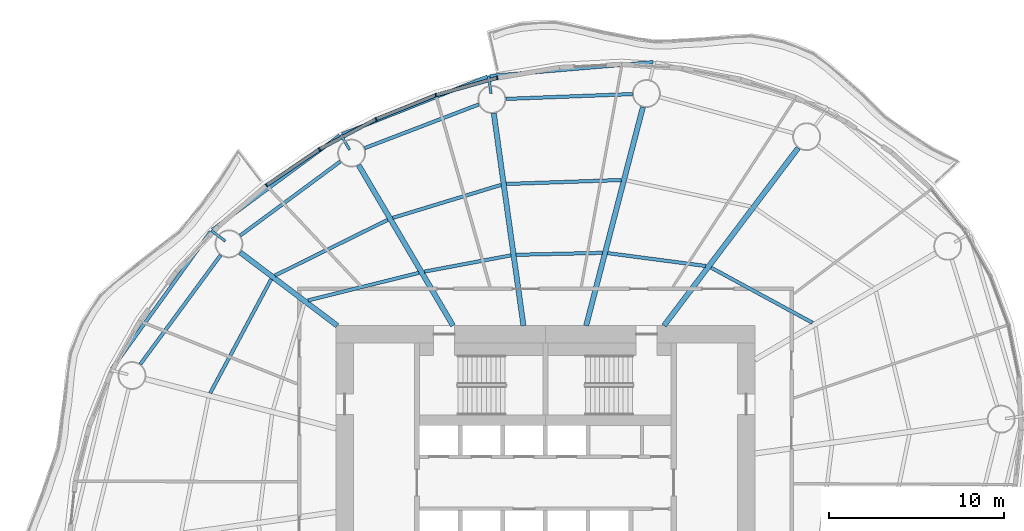
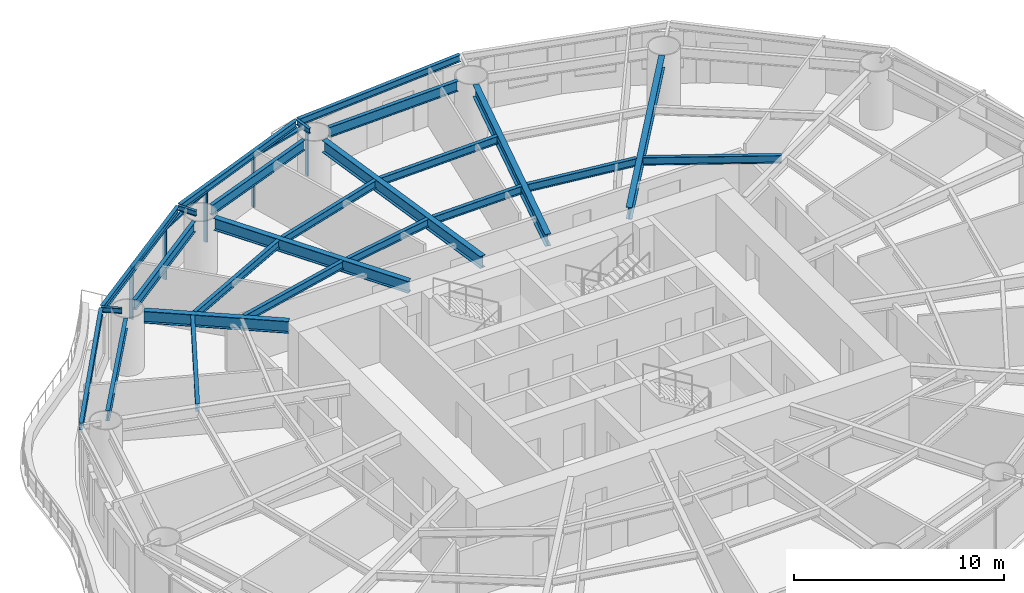
# One storey, part 5 of 14: 25 beams, 9 members, 4 elements without a shape of their own.
"""IFC4 building model written with IfcOpenShell, lengths in metres."""

from ifc_helpers import new_model, si_unit, direction, frame, origin, origin_2d, place, context, subcontext, project, spatial, rectangle, i_section, extrude, material, material_profile, profile_set, type_object, element, aggregate, save


model = new_model("IFC4")

# Units and contexts
model_context = context("Model", 3, precision=1e-05, world=origin(), true_north=direction((0.0, 1.0)))
body_context = subcontext(model_context, "Body", "Model", "MODEL_VIEW")
ifc_project = project(units=[si_unit("LENGTHUNIT", "METRE"), si_unit("AREAUNIT", "SQUARE_METRE"), si_unit("VOLUMEUNIT", "CUBIC_METRE"), si_unit("PLANEANGLEUNIT", "RADIAN"), si_unit("MASSUNIT", "GRAM", prefix="KILO")], contexts=[model_context])

# Site, building, storey
site_placement = place(None, origin())
site = spatial("IfcSite", under=ifc_project, at=site_placement, CompositionType="ELEMENT")
building_placement = place(site_placement, origin())
building = spatial("IfcBuilding", under=site, at=building_placement, Name="Vermilion Reach Broadcast Tower", CompositionType="ELEMENT")
storey_placement = place(building_placement, frame((0.0, 0.0, 131.800048828125)))
storey = spatial("IfcBuildingStorey", under=building, at=storey_placement, Name="L31", CompositionType="ELEMENT", Elevation=131.800048828125)

# Beams
ifc_material_1 = material(Name="Steel S355J2", Category="steel")
ifc_material_profile_1 = material_profile(ifc_material_1, i_section(OverallWidth=0.199951171875, OverallDepth=0.39990234375, WebThickness=0.008056640625, FlangeThickness=0.012939453125, at=origin_2d()), Name="S355J2 HN 400x200x8x13")
ifc_profile_set_1 = profile_set([ifc_material_profile_1], Name="Steel S355J2")
beam_type_1 = type_object("IfcBeamType", Name="EB2 HN 400x200x8x13", PredefinedType="BEAM", material=ifc_profile_set_1)
beam_1_placement = place(storey_placement, frame((0.175048828125, 24.090576171875, 3.199951171875), z_axis=(-0.996416313659, -0.084584454097, 0.0), x_axis=(0.084584454097, -0.996416313659, 0.0)))
element("IfcBeam", 1, at=beam_1_placement, inside=storey, type_object=beam_type_1, Name="Edge beam EB2-03", PredefinedType="BEAM", context=body_context, shape_type="SweptSolid", body=[
    extrude(i_section(OverallWidth=0.199951171875, OverallDepth=0.39990234375, WebThickness=0.008056640625, FlangeThickness=0.012939453125, at=origin_2d()), origin(), (0.0, 0.0, 1.0), 9.386474609375),
])
beam_2_placement = place(storey_placement, frame((-9.32421875, 23.26171875, 3.199951171875), z_axis=(-0.929570815112, -0.368643594401, 0.0), x_axis=(0.368643594401, -0.929570815112, 0.0)))
element("IfcBeam", 2, at=beam_2_placement, inside=storey, type_object=beam_type_1, Name="Edge beam EB2-04", PredefinedType="BEAM", context=body_context, shape_type="SweptSolid", body=[
    extrude(i_section(OverallWidth=0.199951171875, OverallDepth=0.39990234375, WebThickness=0.008056640625, FlangeThickness=0.012939453125, at=origin_2d()), origin(), (0.0, 0.0, 1.0), 8.953857421875),
])
beam_3_placement = place(storey_placement, frame((-17.778564453125, 19.88818359375, 3.199951171875), z_axis=(-0.803813589862, -0.594881259373, 0.0), x_axis=(0.594881259373, -0.803813589862, 0.0)))
element("IfcBeam", 3, at=beam_3_placement, inside=storey, type_object=beam_type_1, Name="Edge beam EB2-05", PredefinedType="BEAM", context=body_context, shape_type="SweptSolid", body=[
    extrude(i_section(OverallWidth=0.199951171875, OverallDepth=0.39990234375, WebThickness=0.008056640625, FlangeThickness=0.012939453125, at=origin_2d()), origin(), (0.0, 0.0, 1.0), 9.072265625),
])
beam_4_placement = place(storey_placement, frame((-25.177734375, 14.3837890625, 3.199951171875), z_axis=(-0.583777873634, -0.811913415492, 0.0), x_axis=(0.811913415492, -0.583777873634, 0.0)))
element("IfcBeam", 4, at=beam_4_placement, inside=storey, type_object=beam_type_1, Name="Edge beam EB2-06", PredefinedType="BEAM", context=body_context, shape_type="SweptSolid", body=[
    extrude(i_section(OverallWidth=0.199951171875, OverallDepth=0.39990234375, WebThickness=0.008056640625, FlangeThickness=0.012939453125, at=origin_2d()), origin(), (0.0, 0.0, 1.0), 9.682861328125),
])
ifc_material_2 = material(Name="Steel S355J2", Category="steel")
ifc_material_profile_2 = material_profile(ifc_material_2, i_section(OverallWidth=0.300048828125, OverallDepth=0.699951171875, WebThickness=0.012939453125, FlangeThickness=0.02392578125, at=origin_2d()), Name="S355J2 HN 700x300x13x24")
ifc_profile_set_2 = profile_set([ifc_material_profile_2], Name="Steel S355J2")
beam_type_2 = type_object("IfcBeamType", Name="G2 HN 700x300x13x24", PredefinedType="BEAM", material=ifc_profile_set_2)
beam_5_placement = place(storey_placement, frame((0.794189453125, 9.0, 3.050048828125), z_axis=(0.602519842365, 0.798103902733, 0.0), x_axis=(-0.798103902733, 0.602519842365, 0.0)))
element("IfcBeam", 5, at=beam_5_placement, inside=storey, type_object=beam_type_2, Name="Girder G2-02", PredefinedType="BEAM", context=body_context, shape_type="SweptSolid", body=[
    extrude(i_section(OverallWidth=0.300048828125, OverallDepth=0.699951171875, WebThickness=0.012939453125, FlangeThickness=0.02392578125, at=origin_2d()), origin(), (0.0, 0.0, 1.0), 12.758544921875),
])
beam_6_placement = place(storey_placement, frame((-3.6640625, 9.0, 3.050048828125), z_axis=(0.25121695316, 0.967930804575, 0.0), x_axis=(-0.967930804575, 0.25121695316, 0.0)))
element("IfcBeam", 6, at=beam_6_placement, inside=storey, type_object=beam_type_2, Name="Girder G2-03", PredefinedType="BEAM", context=body_context, shape_type="SweptSolid", body=[
    extrude(i_section(OverallWidth=0.300048828125, OverallDepth=0.699951171875, WebThickness=0.012939453125, FlangeThickness=0.02392578125, at=origin_2d()), origin(), (0.0, 0.0, 1.0), 12.93505859375),
])
beam_7_placement = place(storey_placement, frame((-7.2568359375, 9.0, 3.050048828125), z_axis=(-0.138317561234, 0.990387930184, 0.0), x_axis=(-0.990387930184, -0.138317561234, 0.0)))
element("IfcBeam", 7, at=beam_7_placement, inside=storey, type_object=beam_type_2, Name="Girder G2-04", PredefinedType="BEAM", context=body_context, shape_type="SweptSolid", body=[
    extrude(i_section(OverallWidth=0.300048828125, OverallDepth=0.699951171875, WebThickness=0.012939453125, FlangeThickness=0.02392578125, at=origin_2d()), origin(), (0.0, 0.0, 1.0), 12.281494140625),
])
beam_8_placement = place(storey_placement, frame((-11.290771484375, 9.0, 3.050048828125), z_axis=(-0.506783943634, 0.862073102744, 0.0), x_axis=(-0.862073102744, -0.506783943634, 0.0)))
element("IfcBeam", 8, at=beam_8_placement, inside=storey, type_object=beam_type_2, Name="Girder G2-05", PredefinedType="BEAM", context=body_context, shape_type="SweptSolid", body=[
    extrude(i_section(OverallWidth=0.300048828125, OverallDepth=0.699951171875, WebThickness=0.012939453125, FlangeThickness=0.02392578125, at=origin_2d()), origin(), (0.0, 0.0, 1.0), 10.661865234375),
])
beam_9_placement = place(storey_placement, frame((-17.921630859375, 9.0, 3.050048828125), z_axis=(-0.798113534072, 0.602507084382, 0.0), x_axis=(-0.602507084382, -0.798113534072, 0.0)))
element("IfcBeam", 9, at=beam_9_placement, inside=storey, type_object=beam_type_2, Name="Girder G2-06", PredefinedType="BEAM", context=body_context, shape_type="SweptSolid", body=[
    extrude(i_section(OverallWidth=0.300048828125, OverallDepth=0.699951171875, WebThickness=0.012939453125, FlangeThickness=0.02392578125, at=origin_2d()), origin(), (0.0, 0.0, 1.0), 6.971923828125),
])
ifc_material_3 = material(Name="Steel S355J2", Category="steel")
ifc_material_profile_3 = material_profile(ifc_material_3, i_section(OverallWidth=0.14990234375, OverallDepth=0.300048828125, WebThickness=0.006591796875, FlangeThickness=0.009033203125, at=origin_2d()), Name="S355J2 HN 300x150x6.5x9")
ifc_profile_set_3 = profile_set([ifc_material_profile_3], Name="Steel S355J2")
beam_type_3 = type_object("IfcBeamType", Name="GS2 HN 300x150x6.5x9", PredefinedType="BEAM", material=ifc_profile_set_3)
for number, where, z_axis, x_axis, name in (
    (10, (-9.1142578125, 22.2998046875, 3.25), (-0.13817375644, 0.990408003315, 0.0), (-0.990408003315, -0.13817375644, 0.0), "Cantilever stub GS2-04"),
    (11, (-17.211181640625, 19.071044921875, 3.25), (-0.506828068037, 0.862047161964, 0.0), (-0.862047161964, -0.506828068037, 0.0), "Cantilever stub GS2-05"),
    (12, (-24.3359375, 13.842041015625, 3.25), (-0.798091683473, 0.602536027779, 0.0), (-0.602536027779, -0.798091683473, 0.0), "Cantilever stub GS2-06"),
):
    element("IfcBeam", number, at=place(storey_placement, frame(where, z_axis=z_axis, x_axis=x_axis)), inside=storey, type_object=beam_type_3, Name=name, PredefinedType="BEAM", context=body_context, shape_type="SweptSolid", body=[
        extrude(i_section(OverallWidth=0.14990234375, OverallDepth=0.300048828125, WebThickness=0.006591796875, FlangeThickness=0.009033203125, at=origin_2d()), origin(), (0.0, 0.0, 1.0), 1.0),
    ])
ifc_material_4 = material(Name="Steel S355J2", Category="steel")
ifc_material_profile_4 = material_profile(ifc_material_4, i_section(OverallWidth=0.199951171875, OverallDepth=0.60009765625, WebThickness=0.010986328125, FlangeThickness=0.01708984375, at=origin_2d()), Name="S355J2 HN 600x200x11x17")
ifc_profile_set_4 = profile_set([ifc_material_profile_4], Name="Steel S355J2")
beam_type_4 = type_object("IfcBeamType", Name="RB2 HN 600x200x11x17", PredefinedType="BEAM", material=ifc_profile_set_4)
beam_10_placement = place(storey_placement, frame((-1.012939453125, 22.263916015625, 3.099853515625), z_axis=(-0.999268558327, -0.038240663418, 0.0), x_axis=(0.038240663418, -0.999268558327, 0.0)))
element("IfcBeam", 13, at=beam_10_placement, inside=storey, type_object=beam_type_4, Name="Ring beam RB2-03", PredefinedType="BEAM", context=body_context, shape_type="SweptSolid", body=[
    extrude(i_section(OverallWidth=0.199951171875, OverallDepth=0.60009765625, WebThickness=0.010986328125, FlangeThickness=0.01708984375, at=origin_2d()), origin(), (0.0, 0.0, 1.0), 7.259033203125),
])
beam_11_placement = place(storey_placement, frame((-9.813232421875, 21.669677734375, 3.099853515625), z_axis=(-0.933939237212, -0.357431813353, 0.0), x_axis=(0.357431813353, -0.933939237212, 0.0)))
element("IfcBeam", 14, at=beam_11_placement, inside=storey, type_object=beam_type_4, Name="Ring beam RB2-04", PredefinedType="BEAM", context=body_context, shape_type="SweptSolid", body=[
    extrude(i_section(OverallWidth=0.199951171875, OverallDepth=0.60009765625, WebThickness=0.010986328125, FlangeThickness=0.01708984375, at=origin_2d()), origin(), (0.0, 0.0, 1.0), 7.001953125),
])
beam_12_placement = place(storey_placement, frame((-17.74267578125, 18.4052734375, 3.099853515625), z_axis=(-0.803832742218, -0.594855379515, 0.0), x_axis=(0.594855379515, -0.803832742218, 0.0)))
element("IfcBeam", 15, at=beam_12_placement, inside=storey, type_object=beam_type_4, Name="Ring beam RB2-05", PredefinedType="BEAM", context=body_context, shape_type="SweptSolid", body=[
    extrude(i_section(OverallWidth=0.199951171875, OverallDepth=0.60009765625, WebThickness=0.010986328125, FlangeThickness=0.01708984375, at=origin_2d()), origin(), (0.0, 0.0, 1.0), 7.13916015625),
])
beam_13_placement = place(storey_placement, frame((-24.59912109375, 13.03857421875, 3.099853515625), z_axis=(-0.593250534798, -0.80501788984, 0.0), x_axis=(0.80501788984, -0.593250534798, 0.0)))
element("IfcBeam", 16, at=beam_13_placement, inside=storey, type_object=beam_type_4, Name="Ring beam RB2-06", PredefinedType="BEAM", context=body_context, shape_type="SweptSolid", body=[
    extrude(i_section(OverallWidth=0.199951171875, OverallDepth=0.60009765625, WebThickness=0.010986328125, FlangeThickness=0.01708984375, at=origin_2d()), origin(), (0.0, 0.0, 1.0), 7.76220703125),
])
ifc_material_5 = material(Name="Steel S355J2", Category="steel")
ifc_material_profile_5 = material_profile(ifc_material_5, i_section(OverallWidth=0.199951171875, OverallDepth=0.449951171875, WebThickness=0.009033203125, FlangeThickness=0.013916015625, at=origin_2d()), Name="S355J2 HN 450x200x9x14")
ifc_profile_set_5 = profile_set([ifc_material_profile_5], Name="Steel S355J2")
beam_type_5 = type_object("IfcBeamType", Name="SB2 HN 450x200x9x14", PredefinedType="BEAM", material=ifc_profile_set_5)
beam_14_placement = place(storey_placement, frame((9.29736328125, 9.1669921875, 3.175048828125), z_axis=(-0.878713106774, 0.477350265512, 0.0), x_axis=(-0.477350265512, -0.878713106774, 0.0)))
element("IfcBeam", 17, at=beam_14_placement, inside=storey, type_object=beam_type_5, Name="Secondary beam SB2-01-1", PredefinedType="BEAM", context=body_context, shape_type="SweptSolid", body=[
    extrude(i_section(OverallWidth=0.199951171875, OverallDepth=0.449951171875, WebThickness=0.009033203125, FlangeThickness=0.013916015625, at=origin_2d()), origin(), (0.0, 0.0, 1.0), 6.60888671875),
])
beam_15_placement = place(storey_placement, frame((3.185546875, 12.416748046875, 3.175048828125), z_axis=(-0.991498686864, 0.130116693573, 0.0), x_axis=(-0.130116693573, -0.991498686864, 0.0)))
element("IfcBeam", 18, at=beam_15_placement, inside=storey, type_object=beam_type_5, Name="Secondary beam SB2-02-1", PredefinedType="BEAM", context=body_context, shape_type="SweptSolid", body=[
    extrude(i_section(OverallWidth=0.199951171875, OverallDepth=0.449951171875, WebThickness=0.009033203125, FlangeThickness=0.013916015625, at=origin_2d()), origin(), (0.0, 0.0, 1.0), 5.66455078125),
])
beam_16_placement = place(storey_placement, frame((-2.73681640625, 13.169921875, 3.175048828125), z_axis=(-0.999742320425, -0.022700060602, 0.0), x_axis=(0.022700060602, -0.999742320425, 0.0)))
element("IfcBeam", 19, at=beam_16_placement, inside=storey, type_object=beam_type_5, Name="Secondary beam SB2-03-1", PredefinedType="BEAM", context=body_context, shape_type="SweptSolid", body=[
    extrude(i_section(OverallWidth=0.199951171875, OverallDepth=0.449951171875, WebThickness=0.009033203125, FlangeThickness=0.013916015625, at=origin_2d()), origin(), (0.0, 0.0, 1.0), 4.9365234375),
])
beam_17_placement = place(storey_placement, frame((-1.654052734375, 17.34130859375, 3.175048828125), z_axis=(-0.999404722387, -0.03449928797, 0.0), x_axis=(0.03449928797, -0.999404722387, 0.0)))
element("IfcBeam", 20, at=beam_17_placement, inside=storey, type_object=beam_type_5, Name="Secondary beam SB2-03-2", PredefinedType="BEAM", context=body_context, shape_type="SweptSolid", body=[
    extrude(i_section(OverallWidth=0.199951171875, OverallDepth=0.449951171875, WebThickness=0.009033203125, FlangeThickness=0.013916015625, at=origin_2d()), origin(), (0.0, 0.0, 1.0), 6.58837890625),
])
beam_18_placement = place(storey_placement, frame((-7.970703125, 13.026611328125, 3.175048828125), z_axis=(-0.982782890015, -0.184764149915, 0.0), x_axis=(0.184764149915, -0.982782890015, 0.0)))
element("IfcBeam", 21, at=beam_18_placement, inside=storey, type_object=beam_type_5, Name="Secondary beam SB2-04-1", PredefinedType="BEAM", context=body_context, shape_type="SweptSolid", body=[
    extrude(i_section(OverallWidth=0.199951171875, OverallDepth=0.449951171875, WebThickness=0.009033203125, FlangeThickness=0.013916015625, at=origin_2d()), origin(), (0.0, 0.0, 1.0), 5.051513671875),
])
beam_19_placement = place(storey_placement, frame((-8.53466796875, 17.064697265625, 3.175048828125), z_axis=(-0.956596430605, -0.291415972374, 0.0), x_axis=(0.291415972374, -0.956596430605, 0.0)))
element("IfcBeam", 22, at=beam_19_placement, inside=storey, type_object=beam_type_5, Name="Secondary beam SB2-04-2", PredefinedType="BEAM", context=body_context, shape_type="SweptSolid", body=[
    extrude(i_section(OverallWidth=0.199951171875, OverallDepth=0.449951171875, WebThickness=0.009033203125, FlangeThickness=0.013916015625, at=origin_2d()), origin(), (0.0, 0.0, 1.0), 6.49267578125),
])
beam_20_placement = place(storey_placement, frame((-13.24365234375, 12.026123046875, 3.175048828125), z_axis=(-0.970396717612, -0.241516480695, 0.0), x_axis=(0.241516480695, -0.970396717612, 0.0)))
element("IfcBeam", 23, at=beam_20_placement, inside=storey, type_object=beam_type_5, Name="Secondary beam SB2-05-1", PredefinedType="BEAM", context=body_context, shape_type="SweptSolid", body=[
    extrude(i_section(OverallWidth=0.199951171875, OverallDepth=0.449951171875, WebThickness=0.009033203125, FlangeThickness=0.013916015625, at=origin_2d()), origin(), (0.0, 0.0, 1.0), 6.539306640625),
])
beam_21_placement = place(storey_placement, frame((-15.02783203125, 15.06103515625, 3.175048828125), z_axis=(-0.896648255868, -0.442743611189, 0.0), x_axis=(0.442743611189, -0.896648255868, 0.0)))
element("IfcBeam", 24, at=beam_21_placement, inside=storey, type_object=beam_type_5, Name="Secondary beam SB2-05-2", PredefinedType="BEAM", context=body_context, shape_type="SweptSolid", body=[
    extrude(i_section(OverallWidth=0.199951171875, OverallDepth=0.449951171875, WebThickness=0.009033203125, FlangeThickness=0.013916015625, at=origin_2d()), origin(), (0.0, 0.0, 1.0), 7.19677734375),
])
beam_22_placement = place(storey_placement, frame((-21.702880859375, 11.66650390625, 3.175048828125), z_axis=(-0.471821551693, -0.881694064491, 0.0), x_axis=(0.881694064491, -0.471821551693, 0.0)))
element("IfcBeam", 25, at=beam_22_placement, inside=storey, type_object=beam_type_5, Name="Secondary beam SB2-06-2", PredefinedType="BEAM", context=body_context, shape_type="SweptSolid", body=[
    extrude(i_section(OverallWidth=0.199951171875, OverallDepth=0.449951171875, WebThickness=0.009033203125, FlangeThickness=0.013916015625, at=origin_2d()), origin(), (0.0, 0.0, 1.0), 7.405029296875),
])

# Curtain wall, member
ifc_material_6 = material(Name="Low-e laminated clear glass in aluminium frame", Category="aluminium")
curtain_wall_type = type_object("IfcCurtainWallType", Name="Slot curtain wall", PredefinedType="NOTDEFINED", material=ifc_material_6)
placement = place(storey_placement, origin())
curtain_wall_1 = element("IfcCurtainWall", 26, at=placement, inside=storey, type_object=curtain_wall_type, Name="Slot curtain wall L31 10", PredefinedType="NOTDEFINED")
ifc_material_7 = material(Name="Anodised aluminium", Category="aluminium")
ifc_material_profile_6 = material_profile(ifc_material_7, rectangle(XDim=0.199951171875, YDim=0.080078125, at=origin_2d()), Name="Slot mullion 80 x 200")
ifc_profile_set_6 = profile_set([ifc_material_profile_6], Name="Anodised aluminium")
member_type_1 = type_object("IfcMemberType", Name="Slot mullion 80 x 200", PredefinedType="MULLION", material=ifc_profile_set_6)
member_1_placement = place(storey_placement, frame((-8.7568359375, 23.1904296875, 0.0), z_axis=(0.0, 0.0, 1.0), x_axis=(0.217444849275, -0.976072608736, 0.0)))
member_1 = element("IfcMember", 27, at=member_1_placement, type_object=member_type_1, Name="Slot mullion L31 10", PredefinedType="MULLION", context=body_context, shape_type="SweptSolid", body=[
    extrude(rectangle(XDim=0.199951171875, YDim=0.080078125, at=origin_2d()), origin(), (0.0, 0.0, 1.0), 3.0),
])

curtain_wall_2 = element("IfcCurtainWall", 28, at=placement, inside=storey, type_object=curtain_wall_type, Name="Slot curtain wall L31 11", PredefinedType="NOTDEFINED")
member_2_placement = place(storey_placement, frame((-12.279541015625, 22.2001953125, 0.0), z_axis=(0.0, 0.0, 1.0), x_axis=(0.322167699546, -0.946682614908, 0.0)))
member_2 = element("IfcMember", 29, at=member_2_placement, type_object=member_type_1, Name="Slot mullion L31 11", PredefinedType="MULLION", context=body_context, shape_type="SweptSolid", body=[
    extrude(rectangle(XDim=0.199951171875, YDim=0.080078125, at=origin_2d()), origin(), (0.0, 0.0, 1.0), 3.0),
])

curtain_wall_3 = element("IfcCurtainWall", 30, at=placement, inside=storey, type_object=curtain_wall_type, Name="Slot curtain wall L31 12", PredefinedType="NOTDEFINED")
member_3_placement = place(storey_placement, frame((-15.694580078125, 20.828125, 0.0), z_axis=(0.0, 0.0, 1.0), x_axis=(0.42198538075, -0.906602635355, 0.0)))
member_3 = element("IfcMember", 31, at=member_3_placement, type_object=member_type_1, Name="Slot mullion L31 12", PredefinedType="MULLION", context=body_context, shape_type="SweptSolid", body=[
    extrude(rectangle(XDim=0.199951171875, YDim=0.080078125, at=origin_2d()), origin(), (0.0, 0.0, 1.0), 3.0),
])

# Curtain wall, members
curtain_wall_4 = element("IfcCurtainWall", 32, at=placement, inside=storey, type_object=curtain_wall_type, Name="Slot curtain wall L31 13", PredefinedType="NOTDEFINED")
member_4_placement = place(storey_placement, frame((-18.943115234375, 19.098388671875, 0.0), z_axis=(0.0, 0.0, 1.0), x_axis=(0.51692081828, -0.856033216428, 0.0)))
member_4 = element("IfcMember", 33, at=member_4_placement, type_object=member_type_1, Name="Slot mullion L31 13", PredefinedType="MULLION", context=body_context, shape_type="SweptSolid", body=[
    extrude(rectangle(XDim=0.199951171875, YDim=0.080078125, at=origin_2d()), origin(), (0.0, 0.0, 1.0), 3.0),
])
member_5_placement = place(storey_placement, frame((-21.968994140625, 17.040771484375, 0.0), z_axis=(0.0, 0.0, 1.0), x_axis=(0.60683503187, -0.794827807827, 0.0)))
member_5 = element("IfcMember", 34, at=member_5_placement, type_object=member_type_1, Name="Slot mullion L31 14", PredefinedType="MULLION", context=body_context, shape_type="SweptSolid", body=[
    extrude(rectangle(XDim=0.199951171875, YDim=0.080078125, at=origin_2d()), origin(), (0.0, 0.0, 1.0), 3.0),
])

# Member
ifc_material_8 = material(Name="Anodised aluminium", Category="aluminium")
ifc_material_profile_7 = material_profile(ifc_material_8, rectangle(XDim=0.199951171875, YDim=0.10009765625, at=origin_2d()), Name="Slot transom 200 x 100")
ifc_profile_set_7 = profile_set([ifc_material_profile_7], Name="Anodised aluminium")
member_type_2 = type_object("IfcMemberType", Name="Slot transom 200 x 100", PredefinedType="USERDEFINED", material=ifc_profile_set_7)
member_6_placement = place(storey_placement, frame((-8.79541015625, 23.1796875, 2.949951171875), z_axis=(-0.962673715181, -0.270664585973, 0.0), x_axis=(0.270664585973, -0.962673715181, 0.0)))
member_6 = element("IfcMember", 35, at=member_6_placement, type_object=member_type_2, Name="Slot transom L31 10.1", ObjectType="TRANSOM", PredefinedType="USERDEFINED", context=body_context, shape_type="SweptSolid", body=[
    extrude(rectangle(XDim=0.199951171875, YDim=0.10009765625, at=origin_2d()), origin(), (0.0, 0.0, 1.0), 3.5791015625),
])

aggregate(curtain_wall_1, [member_1, member_6])

member_7_placement = place(storey_placement, frame((-12.316650390625, 22.18505859375, 2.949951171875), z_axis=(-0.927928516949, -0.372758188955, 0.0), x_axis=(0.372758188955, -0.927928516949, 0.0)))
member_7 = element("IfcMember", 36, at=member_7_placement, type_object=member_type_2, Name="Slot transom L31 11.1", ObjectType="TRANSOM", PredefinedType="USERDEFINED", context=body_context, shape_type="SweptSolid", body=[
    extrude(rectangle(XDim=0.199951171875, YDim=0.10009765625, at=origin_2d()), origin(), (0.0, 0.0, 1.0), 3.600341796875),
])

aggregate(curtain_wall_2, [member_2, member_7])

member_8_placement = place(storey_placement, frame((-15.72998046875, 20.809326171875, 2.949951171875), z_axis=(-0.882673715609, -0.469986288921, 0.0), x_axis=(0.469986288921, -0.882673715609, 0.0)))
member_8 = element("IfcMember", 37, at=member_8_placement, type_object=member_type_2, Name="Slot transom L31 12.1", ObjectType="TRANSOM", PredefinedType="USERDEFINED", context=body_context, shape_type="SweptSolid", body=[
    extrude(rectangle(XDim=0.199951171875, YDim=0.10009765625, at=origin_2d()), origin(), (0.0, 0.0, 1.0), 3.600341796875),
])

aggregate(curtain_wall_3, [member_3, member_8])

member_9_placement = place(storey_placement, frame((-18.976318359375, 19.075927734375, 2.949951171875), z_axis=(-0.826915083741, -0.5623268127, 0.0), x_axis=(0.5623268127, -0.826915083741, 0.0)))
member_9 = element("IfcMember", 38, at=member_9_placement, type_object=member_type_2, Name="Slot transom L31 13.1", ObjectType="TRANSOM", PredefinedType="USERDEFINED", context=body_context, shape_type="SweptSolid", body=[
    extrude(rectangle(XDim=0.199951171875, YDim=0.10009765625, at=origin_2d()), origin(), (0.0, 0.0, 1.0), 3.579345703125),
])

aggregate(curtain_wall_4, [member_4, member_5, member_9])

save(model, "model.ifc")
